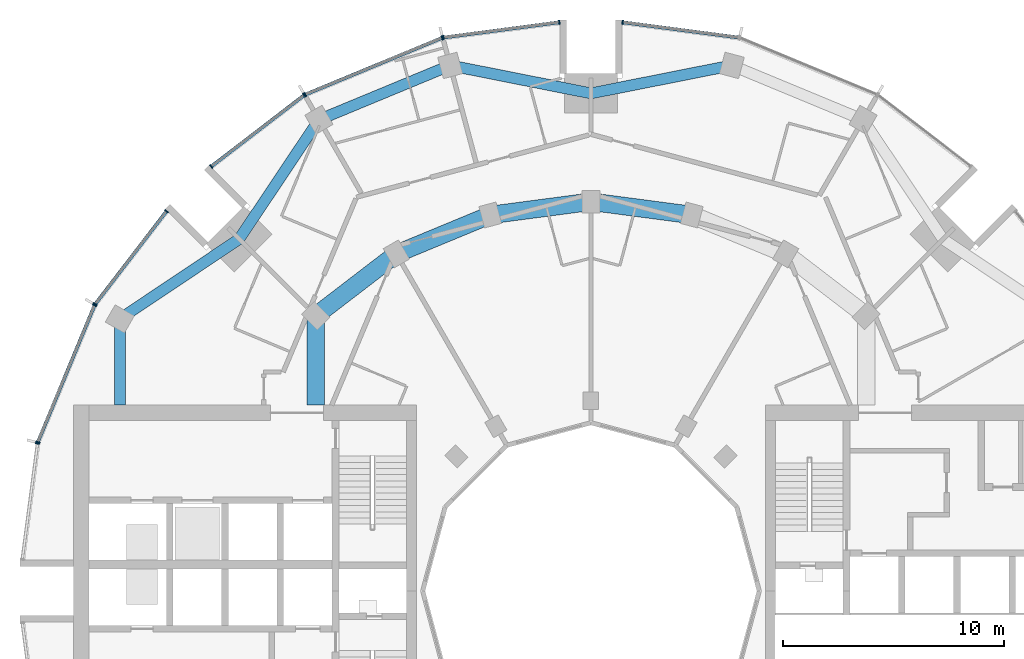
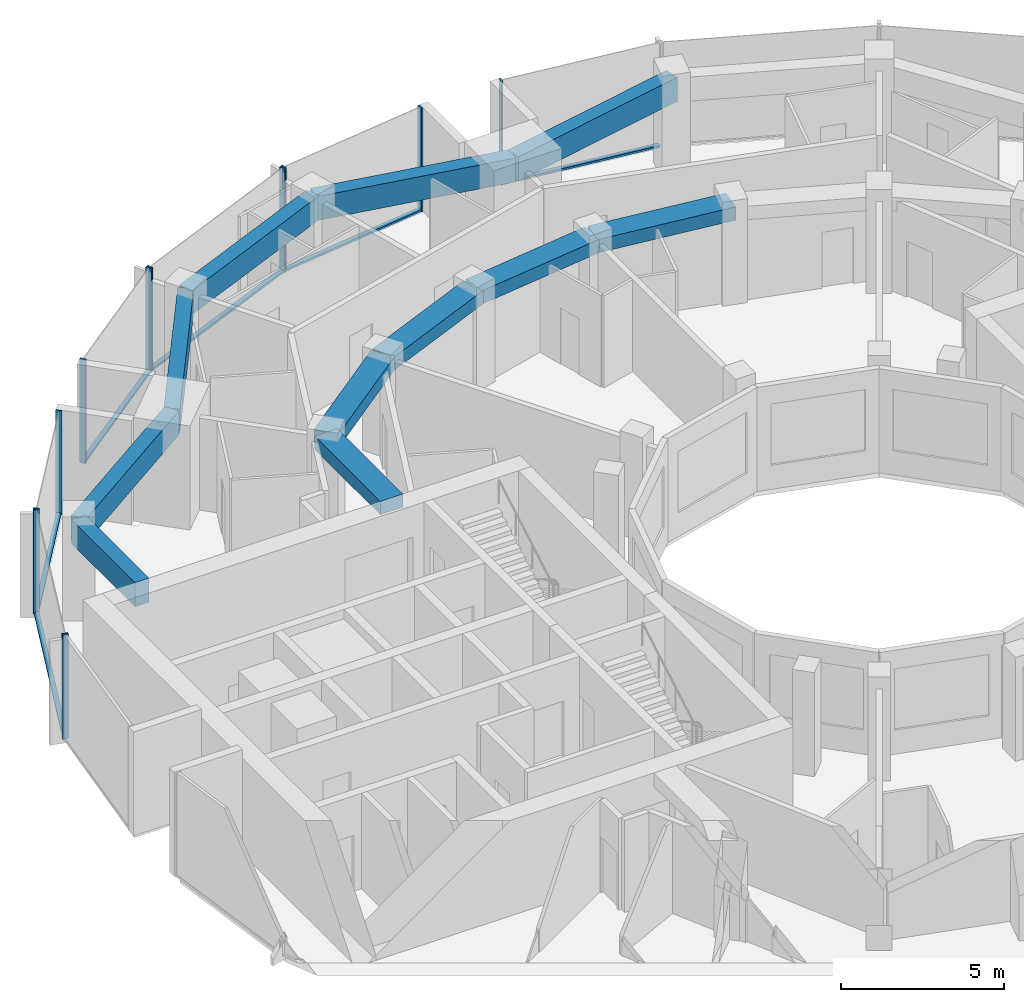
# One storey, part 5 of 15: 18 members, 11 beams, 7 elements without a shape of their own.
"""IFC4 building model written with IfcOpenShell, lengths in metres."""

from ifc_helpers import new_model, si_unit, direction, frame, origin, origin_2d, place, context, subcontext, project, spatial, rectangle, extrude, material, layer, layer_set, material_profile, profile_set, type_object, element, aggregate, save


model = new_model("IFC4")

# Units and contexts
model_context = context("Model", 3, precision=1e-05, world=origin(), true_north=direction((0.0, 1.0)))
body_context = subcontext(model_context, "Body", "Model", "MODEL_VIEW")
ifc_project = project(units=[si_unit("LENGTHUNIT", "METRE"), si_unit("AREAUNIT", "SQUARE_METRE"), si_unit("VOLUMEUNIT", "CUBIC_METRE"), si_unit("PLANEANGLEUNIT", "RADIAN"), si_unit("MASSUNIT", "GRAM", prefix="KILO")], contexts=[model_context])

# Site, building, storey
site_placement = place(None, origin())
site = spatial("IfcSite", under=ifc_project, at=site_placement, CompositionType="ELEMENT")
building_placement = place(site_placement, origin())
building = spatial("IfcBuilding", under=site, at=building_placement, Name="Torre Brocal", CompositionType="ELEMENT")
storey_placement = place(building_placement, frame((0.0, 0.0, 126.300048828125)))
storey = spatial("IfcBuildingStorey", under=building, at=storey_placement, Name="L29", CompositionType="ELEMENT", Elevation=126.300048828125)

# Curtain wall, member
ifc_material_1 = material(Name="Aluminium and glass", Category="aluminium")
ifc_layer_1 = layer(ifc_material_1, 0.199951171875)
ifc_layer_set_1 = layer_set([ifc_layer_1], Name="Aluminium and glass")
curtain_wall_type_1 = type_object("IfcCurtainWallType", Name="CW-1 CURTAIN WALL 3900 HIGH", PredefinedType="NOTDEFINED", material=ifc_layer_set_1)
curtain_wall_1_placement = place(storey_placement, origin())
curtain_wall_1 = element("IfcCurtainWall", 1, at=curtain_wall_1_placement, inside=storey, type_object=curtain_wall_type_1, Name="CW-1 RUN 6", PredefinedType="NOTDEFINED")
ifc_material_2 = material(Name="Aluminium, dark anodised", Category="aluminium")
ifc_material_profile_1 = material_profile(ifc_material_2, rectangle(XDim=0.199951171875, YDim=0.06005859375, at=origin_2d()), Name="CW-1 MULLION 60X200")
ifc_profile_set_1 = profile_set([ifc_material_profile_1], Name="Aluminium, dark anodised")
member_type_1 = type_object("IfcMemberType", Name="CW-1 MULLION 60X200", PredefinedType="MULLION", material=ifc_profile_set_1)
member_1_placement = place(storey_placement, frame((81.4296875, 100.7109375, 0.0), z_axis=(0.0, 0.0, 1.0), x_axis=(-0.13052619222, -0.991444861374, 0.0)))
member_1 = element("IfcMember", 2, at=member_1_placement, type_object=member_type_1, Name="CW1-3 mullion 2", PredefinedType="MULLION", context=body_context, shape_type="SweptSolid", body=[
    extrude(rectangle(XDim=0.199951171875, YDim=0.06005859375, at=origin_2d()), origin(), (0.0, 0.0, 1.0), 3.89990234375),
])

# Curtain wall, members
curtain_wall_2_placement = place(storey_placement, origin())
curtain_wall_2 = element("IfcCurtainWall", 3, at=curtain_wall_2_placement, inside=storey, type_object=curtain_wall_type_1, Name="CW-1 RUN 7", PredefinedType="NOTDEFINED")
member_2_placement = place(storey_placement, frame((78.5703125, 100.7109375, 0.0), z_axis=(0.0, 0.0, 1.0), x_axis=(0.13052619222, -0.991444861374, 0.0)))
member_2 = element("IfcMember", 4, at=member_2_placement, type_object=member_type_1, Name="CW1-3 mullion 1", PredefinedType="MULLION", context=body_context, shape_type="SweptSolid", body=[
    extrude(rectangle(XDim=0.199951171875, YDim=0.06005859375, at=origin_2d()), origin(), (0.0, 0.0, 1.0), 3.89990234375),
])
member_3_placement = place(storey_placement, frame((73.32666015625, 100.0205078125, 0.0), z_axis=(0.0, 0.0, 1.0), x_axis=(0.13052619222, -0.991444861374, 0.0)))
member_3 = element("IfcMember", 5, at=member_3_placement, type_object=member_type_1, Name="CW1-3 mullion 2", PredefinedType="MULLION", context=body_context, shape_type="SweptSolid", body=[
    extrude(rectangle(XDim=0.199951171875, YDim=0.06005859375, at=origin_2d()), origin(), (0.0, 0.0, 1.0), 3.89990234375),
])

curtain_wall_3_placement = place(storey_placement, origin())
curtain_wall_3 = element("IfcCurtainWall", 6, at=curtain_wall_3_placement, inside=storey, type_object=curtain_wall_type_1, Name="CW-1 RUN 8", PredefinedType="NOTDEFINED")
member_4_placement = place(storey_placement, frame((73.26904296875, 100.005126953125, 0.0), z_axis=(0.0, 0.0, 1.0), x_axis=(0.382683432333, -0.923879532525, 0.0)))
member_4 = element("IfcMember", 7, at=member_4_placement, type_object=member_type_1, Name="CW1-3 mullion 1", PredefinedType="MULLION", context=body_context, shape_type="SweptSolid", body=[
    extrude(rectangle(XDim=0.199951171875, YDim=0.06005859375, at=origin_2d()), origin(), (0.0, 0.0, 1.0), 3.89990234375),
])
member_5_placement = place(storey_placement, frame((67.078125, 97.440673828125, 0.0), z_axis=(0.0, 0.0, 1.0), x_axis=(0.382683432333, -0.923879532525, 0.0)))
member_5 = element("IfcMember", 8, at=member_5_placement, type_object=member_type_1, Name="CW1-3 mullion 2", PredefinedType="MULLION", context=body_context, shape_type="SweptSolid", body=[
    extrude(rectangle(XDim=0.199951171875, YDim=0.06005859375, at=origin_2d()), origin(), (0.0, 0.0, 1.0), 3.89990234375),
])

curtain_wall_4_placement = place(storey_placement, origin())
curtain_wall_4 = element("IfcCurtainWall", 9, at=curtain_wall_4_placement, inside=storey, type_object=curtain_wall_type_1, Name="CW-1 RUN 9", PredefinedType="NOTDEFINED")
member_6_placement = place(storey_placement, frame((67.026611328125, 97.4111328125, 0.0), z_axis=(0.0, 0.0, 1.0), x_axis=(0.60876142905, -0.793353340259, 0.0)))
member_6 = element("IfcMember", 10, at=member_6_placement, type_object=member_type_1, Name="CW1-3 mullion 1", PredefinedType="MULLION", context=body_context, shape_type="SweptSolid", body=[
    extrude(rectangle(XDim=0.199951171875, YDim=0.06005859375, at=origin_2d()), origin(), (0.0, 0.0, 1.0), 3.89990234375),
])
member_7_placement = place(storey_placement, frame((62.83056640625, 94.19140625, 0.0), z_axis=(0.0, 0.0, 1.0), x_axis=(0.60876142905, -0.793353340259, 0.0)))
member_7 = element("IfcMember", 11, at=member_7_placement, type_object=member_type_1, Name="CW1-3 mullion 2", PredefinedType="MULLION", context=body_context, shape_type="SweptSolid", body=[
    extrude(rectangle(XDim=0.199951171875, YDim=0.06005859375, at=origin_2d()), origin(), (0.0, 0.0, 1.0), 3.89990234375),
])

curtain_wall_5_placement = place(storey_placement, origin())
curtain_wall_5 = element("IfcCurtainWall", 12, at=curtain_wall_5_placement, inside=storey, type_object=curtain_wall_type_1, Name="CW-1 RUN 10", PredefinedType="NOTDEFINED")
member_8_placement = place(storey_placement, frame((60.80859375, 92.16943359375, 0.0), z_axis=(0.0, 0.0, 1.0), x_axis=(0.793353340259, -0.60876142905, 0.0)))
member_8 = element("IfcMember", 13, at=member_8_placement, type_object=member_type_1, Name="CW1-3 mullion 1", PredefinedType="MULLION", context=body_context, shape_type="SweptSolid", body=[
    extrude(rectangle(XDim=0.199951171875, YDim=0.06005859375, at=origin_2d()), origin(), (0.0, 0.0, 1.0), 3.89990234375),
])
member_9_placement = place(storey_placement, frame((57.5888671875, 87.973388671875, 0.0), z_axis=(0.0, 0.0, 1.0), x_axis=(0.793353340259, -0.60876142905, 0.0)))
member_9 = element("IfcMember", 14, at=member_9_placement, type_object=member_type_1, Name="CW1-3 mullion 2", PredefinedType="MULLION", context=body_context, shape_type="SweptSolid", body=[
    extrude(rectangle(XDim=0.199951171875, YDim=0.06005859375, at=origin_2d()), origin(), (0.0, 0.0, 1.0), 3.89990234375),
])

curtain_wall_6_placement = place(storey_placement, origin())
curtain_wall_6 = element("IfcCurtainWall", 15, at=curtain_wall_6_placement, inside=storey, type_object=curtain_wall_type_1, Name="CW-1 RUN 11", PredefinedType="NOTDEFINED")
member_10_placement = place(storey_placement, frame((57.559326171875, 87.921875, 0.0), z_axis=(0.0, 0.0, 1.0), x_axis=(0.923879532525, -0.382683432333, 0.0)))
member_10 = element("IfcMember", 16, at=member_10_placement, type_object=member_type_1, Name="CW1-3 mullion 1", PredefinedType="MULLION", context=body_context, shape_type="SweptSolid", body=[
    extrude(rectangle(XDim=0.199951171875, YDim=0.06005859375, at=origin_2d()), origin(), (0.0, 0.0, 1.0), 3.89990234375),
])
member_11_placement = place(storey_placement, frame((54.994873046875, 81.73095703125, 0.0), z_axis=(0.0, 0.0, 1.0), x_axis=(0.923879532525, -0.382683432333, 0.0)))
member_11 = element("IfcMember", 17, at=member_11_placement, type_object=member_type_1, Name="CW1-3 mullion 2", PredefinedType="MULLION", context=body_context, shape_type="SweptSolid", body=[
    extrude(rectangle(XDim=0.199951171875, YDim=0.06005859375, at=origin_2d()), origin(), (0.0, 0.0, 1.0), 3.89990234375),
])

# Member
ifc_material_3 = material(Name="Aluminium, dark anodised", Category="aluminium")
ifc_material_profile_2 = material_profile(ifc_material_3, rectangle(XDim=0.159912109375, YDim=0.080078125, at=origin_2d()), Name="CW-1 TRANSOM 160X80")
ifc_profile_set_2 = profile_set([ifc_material_profile_2], Name="Aluminium, dark anodised")
member_type_2 = type_object("IfcMemberType", Name="CW-1 TRANSOM 160X80", PredefinedType="USERDEFINED", material=ifc_profile_set_2)
member_12_placement = place(storey_placement, frame((86.643798828125, 100.0244140625, 0.0400390625), z_axis=(-0.991442690863, 0.130542677827, 0.0), x_axis=(-0.130542677827, -0.991442690863, 0.0)))
member_12 = element("IfcMember", 18, at=member_12_placement, type_object=member_type_2, Name="CW1-3 transom 1.1", ObjectType="TRANSOM", PredefinedType="USERDEFINED", context=body_context, shape_type="SweptSolid", body=[
    extrude(rectangle(XDim=0.159912109375, YDim=0.080078125, at=origin_2d()), origin(), (0.0, 0.0, 1.0), 5.22900390625),
])

aggregate(curtain_wall_1, [member_1, member_12])

member_13_placement = place(storey_placement, frame((78.54052734375, 100.70703125, 0.0400390625), z_axis=(-0.991442690863, -0.130542677827, 0.0), x_axis=(0.130542677827, -0.991442690863, 0.0)))
member_13 = element("IfcMember", 19, at=member_13_placement, type_object=member_type_2, Name="CW1-3 transom 1.1", ObjectType="TRANSOM", PredefinedType="USERDEFINED", context=body_context, shape_type="SweptSolid", body=[
    extrude(rectangle(XDim=0.159912109375, YDim=0.080078125, at=origin_2d()), origin(), (0.0, 0.0, 1.0), 5.22900390625),
])

aggregate(curtain_wall_2, [member_2, member_3, member_13])

member_14_placement = place(storey_placement, frame((73.241455078125, 99.99365234375, 0.0400390625), z_axis=(-0.923887344364, -0.38266457234, 0.0), x_axis=(0.38266457234, -0.923887344364, 0.0)))
member_14 = element("IfcMember", 20, at=member_14_placement, type_object=member_type_2, Name="CW1-3 transom 1.1", ObjectType="TRANSOM", PredefinedType="USERDEFINED", context=body_context, shape_type="SweptSolid", body=[
    extrude(rectangle(XDim=0.159912109375, YDim=0.080078125, at=origin_2d()), origin(), (0.0, 0.0, 1.0), 6.640869140625),
])

aggregate(curtain_wall_3, [member_4, member_5, member_14])

member_15_placement = place(storey_placement, frame((67.0029296875, 97.392822265625, 0.0400390625), z_axis=(-0.79336281513, -0.60874908096, 0.0), x_axis=(0.60874908096, -0.79336281513, 0.0)))
member_15 = element("IfcMember", 21, at=member_15_placement, type_object=member_type_2, Name="CW1-3 transom 1.1", ObjectType="TRANSOM", PredefinedType="USERDEFINED", context=body_context, shape_type="SweptSolid", body=[
    extrude(rectangle(XDim=0.159912109375, YDim=0.080078125, at=origin_2d()), origin(), (0.0, 0.0, 1.0), 5.22900390625),
])

aggregate(curtain_wall_4, [member_6, member_7, member_15])

member_16_placement = place(storey_placement, frame((60.790283203125, 92.1455078125, 0.0400390625), z_axis=(-0.60874908096, -0.79336281513, 0.0), x_axis=(0.79336281513, -0.60874908096, 0.0)))
member_16 = element("IfcMember", 22, at=member_16_placement, type_object=member_type_2, Name="CW1-3 transom 1.1", ObjectType="TRANSOM", PredefinedType="USERDEFINED", context=body_context, shape_type="SweptSolid", body=[
    extrude(rectangle(XDim=0.159912109375, YDim=0.080078125, at=origin_2d()), origin(), (0.0, 0.0, 1.0), 5.22900390625),
])

aggregate(curtain_wall_5, [member_8, member_9, member_16])

member_17_placement = place(storey_placement, frame((57.547607421875, 87.89404296875, 0.0400390625), z_axis=(-0.38266457234, -0.923887344364, 0.0), x_axis=(0.923887344364, -0.38266457234, 0.0)))
member_17 = element("IfcMember", 23, at=member_17_placement, type_object=member_type_2, Name="CW1-3 transom 1.1", ObjectType="TRANSOM", PredefinedType="USERDEFINED", context=body_context, shape_type="SweptSolid", body=[
    extrude(rectangle(XDim=0.159912109375, YDim=0.080078125, at=origin_2d()), origin(), (0.0, 0.0, 1.0), 6.640869140625),
])

aggregate(curtain_wall_6, [member_10, member_11, member_17])

# Curtain wall, member
ifc_material_4 = material(Name="Aluminium and glass", Category="aluminium")
ifc_layer_2 = layer(ifc_material_4, 0.199951171875)
ifc_layer_set_2 = layer_set([ifc_layer_2], Name="Aluminium and glass")
curtain_wall_type_2 = type_object("IfcCurtainWallType", Name="CW-1B CURTAIN WALL 3900 HIGH", PredefinedType="NOTDEFINED", material=ifc_layer_set_2)
curtain_wall_7_placement = place(storey_placement, origin())
curtain_wall_7 = element("IfcCurtainWall", 24, at=curtain_wall_7_placement, inside=storey, type_object=curtain_wall_type_2, Name="CW-1B RUN 12", PredefinedType="NOTDEFINED")
ifc_material_5 = material(Name="Aluminium, dark anodised", Category="aluminium")
ifc_material_profile_3 = material_profile(ifc_material_5, rectangle(XDim=0.199951171875, YDim=0.06005859375, at=origin_2d()), Name="CW-1B MULLION 60X200")
ifc_profile_set_3 = profile_set([ifc_material_profile_3], Name="Aluminium, dark anodised")
member_type_3 = type_object("IfcMemberType", Name="CW-1B MULLION 60X200", PredefinedType="MULLION", material=ifc_profile_set_3)
member_18_placement = place(storey_placement, frame((54.9794921875, 81.67333984375, 0.0), z_axis=(0.0, 0.0, 1.0), x_axis=(0.991444861374, -0.13052619222, 0.0)))
member_18 = element("IfcMember", 25, at=member_18_placement, type_object=member_type_3, Name="CW1B-3 mullion 1", PredefinedType="MULLION", context=body_context, shape_type="SweptSolid", body=[
    extrude(rectangle(XDim=0.199951171875, YDim=0.06005859375, at=origin_2d()), origin(), (0.0, 0.0, 1.0), 3.89990234375),
])
aggregate(curtain_wall_7, [member_18])

# Beams
ifc_material_6 = material(Name="Concrete C50", Category="concrete")
ifc_material_profile_4 = material_profile(ifc_material_6, rectangle(XDim=0.800048828125, YDim=0.5, at=origin_2d()), Name="RC 800X500")
ifc_profile_set_4 = profile_set([ifc_material_profile_4], Name="Concrete C50")
beam_type_1 = type_object("IfcBeamType", Name="RC BEAM 800X500 C50 TOP 3580", PredefinedType="BEAM", material=ifc_profile_set_4)
for number, where, z_axis, x_axis, name in (
    (26, (84.55517578125, 92.000244140625, 3.329833984375), (-0.991440544449, 0.130558978332, 0.0), (-0.130558978332, -0.991440544449, 0.0), "Beam BT-28"),
    (27, (80.0, 92.60009765625, 3.329833984375), (-0.991440544449, -0.130558978332, 0.0), (0.130558978332, -0.991440544449, 0.0), "Beam BT-28"),
):
    element("IfcBeam", number, at=place(storey_placement, frame(where, z_axis=z_axis, x_axis=x_axis)), inside=storey, type_object=beam_type_1, Name=name, PredefinedType="BEAM", context=body_context, shape_type="SweptSolid", body=[
        extrude(rectangle(XDim=0.800048828125, YDim=0.5, at=origin_2d()), origin(), (0.0, 0.0, 1.0), 4.594482421875),
    ])
beam_1_placement = place(storey_placement, frame((75.44482421875, 92.000244140625, 3.329833984375), z_axis=(-0.923878240166, -0.382686552348, 0.0), x_axis=(0.382686552348, -0.923878240166, 0.0)))
element("IfcBeam", 28, at=beam_1_placement, inside=storey, type_object=beam_type_1, Name="Beam BT-28", PredefinedType="BEAM", context=body_context, shape_type="SweptSolid", body=[
    extrude(rectangle(XDim=0.800048828125, YDim=0.5, at=origin_2d()), origin(), (0.0, 0.0, 1.0), 4.5947265625),
])
beam_2_placement = place(storey_placement, frame((71.199951171875, 90.241943359375, 3.329833984375), z_axis=(-0.793358265959, -0.6087550097, 0.0), x_axis=(0.6087550097, -0.793358265959, 0.0)))
element("IfcBeam", 29, at=beam_2_placement, inside=storey, type_object=beam_type_1, Name="Beam BT-28", PredefinedType="BEAM", context=body_context, shape_type="SweptSolid", body=[
    extrude(rectangle(XDim=0.800048828125, YDim=0.5, at=origin_2d()), origin(), (0.0, 0.0, 1.0), 4.594482421875),
])
beam_3_placement = place(storey_placement, frame((67.554931640625, 87.445068359375, 3.329833984375), z_axis=(0.0, -1.0, 0.0), x_axis=(1.0, 0.0, 0.0)))
element("IfcBeam", 30, at=beam_3_placement, inside=storey, type_object=beam_type_1, Name="Beam BT-28", PredefinedType="BEAM", context=body_context, shape_type="SweptSolid", body=[
    extrude(rectangle(XDim=0.800048828125, YDim=0.5, at=origin_2d()), origin(), (0.0, 0.0, 1.0), 4.045166015625),
])
ifc_material_7 = material(Name="Concrete C50", Category="concrete")
ifc_material_profile_5 = material_profile(ifc_material_7, rectangle(XDim=0.5, YDim=0.89990234375, at=origin_2d()), Name="RC 500X900")
ifc_profile_set_5 = profile_set([ifc_material_profile_5], Name="Concrete C50")
beam_type_2 = type_object("IfcBeamType", Name="RC SPANDREL BEAM 500X900 C50 TOP 3580", PredefinedType="SPANDREL", material=ifc_profile_set_5)
for number, where, z_axis, x_axis, name in (
    (31, (86.366943359375, 98.76171875, 3.1298828125), (-0.980924907484, -0.194387051723, 0.0), (0.194387051723, -0.980924907484, 0.0), "Beam BT-29"),
    (32, (80.0, 97.5, 3.1298828125), (-0.980924907484, 0.194387051723, 0.0), (-0.194387051723, -0.980924907484, 0.0), "Beam BT-29"),
):
    element("IfcBeam", number, at=place(storey_placement, frame(where, z_axis=z_axis, x_axis=x_axis)), inside=storey, type_object=beam_type_2, Name=name, PredefinedType="SPANDREL", context=body_context, shape_type="SweptSolid", body=[
        extrude(rectangle(XDim=0.5, YDim=0.89990234375, at=origin_2d()), origin(), (0.0, 0.0, 1.0), 6.49072265625),
    ])
beam_4_placement = place(storey_placement, frame((73.633056640625, 98.76171875, 3.1298828125), z_axis=(-0.923882462513, -0.382676358639, 0.0), x_axis=(0.382676358639, -0.923882462513, 0.0)))
element("IfcBeam", 33, at=beam_4_placement, inside=storey, type_object=beam_type_2, Name="Beam BT-29", PredefinedType="SPANDREL", context=body_context, shape_type="SweptSolid", body=[
    extrude(rectangle(XDim=0.5, YDim=0.89990234375, at=origin_2d()), origin(), (0.0, 0.0, 1.0), 6.421875),
])
for number, where, z_axis, x_axis, name in (
    (34, (67.699951171875, 96.30419921875, 3.1298828125), (-0.556157602282, -0.831076844476, 0.0), (0.831076844476, -0.556157602282, 0.0), "Beam BT-29"),
    (35, (64.090087890625, 90.909912109375, 3.1298828125), (-0.831076844476, -0.556157602282, 0.0), (0.556157602282, -0.831076844476, 0.0), "Beam BT-29"),
):
    element("IfcBeam", number, at=place(storey_placement, frame(where, z_axis=z_axis, x_axis=x_axis)), inside=storey, type_object=beam_type_2, Name=name, PredefinedType="SPANDREL", context=body_context, shape_type="SweptSolid", body=[
        extrude(rectangle(XDim=0.5, YDim=0.89990234375, at=origin_2d()), origin(), (0.0, 0.0, 1.0), 6.49072265625),
    ])
beam_5_placement = place(storey_placement, frame((58.69580078125, 87.300048828125, 3.1298828125), z_axis=(0.0, -1.0, 0.0), x_axis=(1.0, 0.0, 0.0)))
element("IfcBeam", 36, at=beam_5_placement, inside=storey, type_object=beam_type_2, Name="Beam BT-29", PredefinedType="SPANDREL", context=body_context, shape_type="SweptSolid", body=[
    extrude(rectangle(XDim=0.5, YDim=0.89990234375, at=origin_2d()), origin(), (0.0, 0.0, 1.0), 3.900146484375),
])

save(model, "model.ifc")
